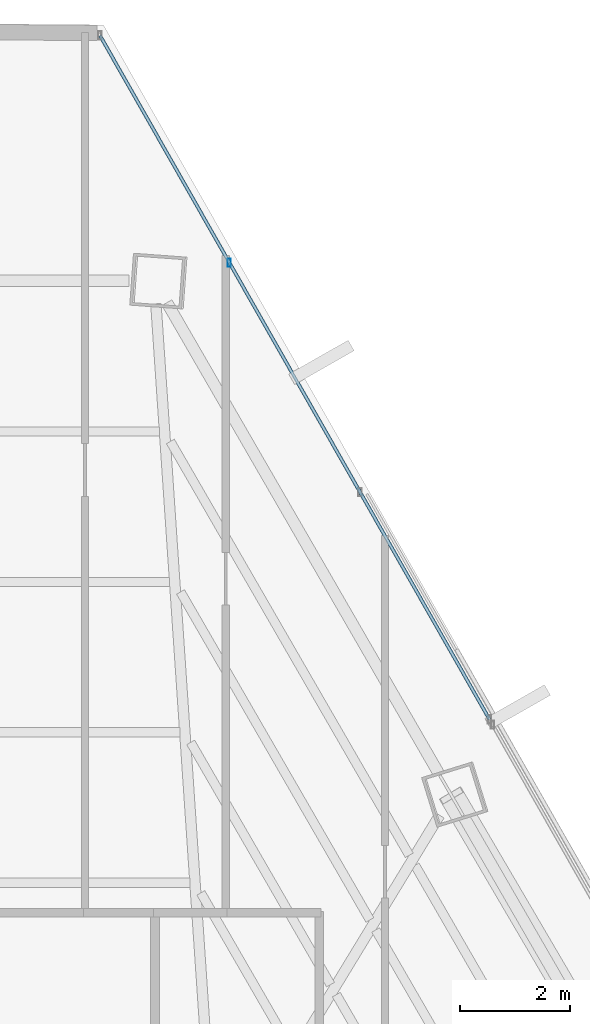
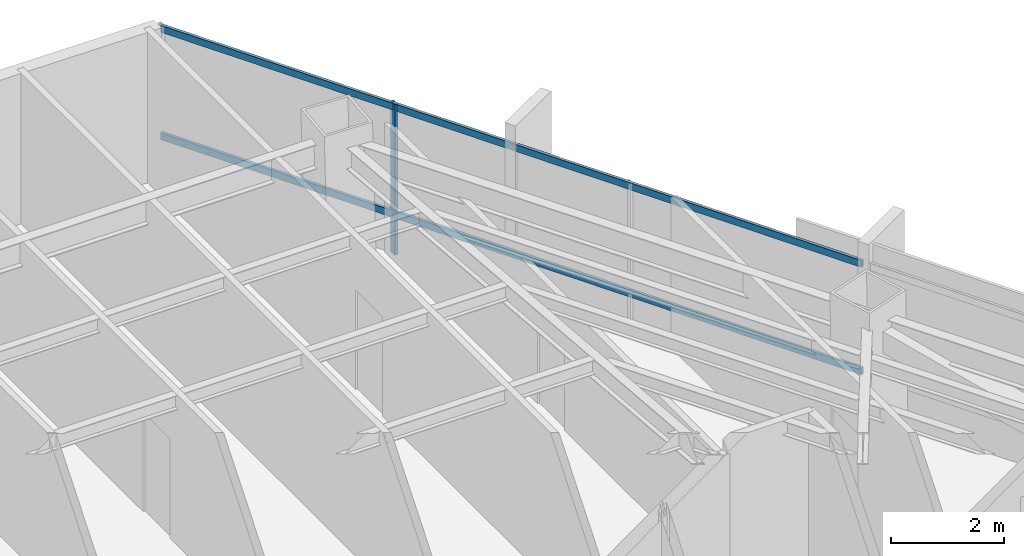
# One storey, part 32 of 40: 3 members, 1 element without a shape of its own.
"""IFC4 building model written with IfcOpenShell, lengths in metres."""

from ifc_helpers import new_model, si_unit, direction, frame, origin, origin_2d, place, context, subcontext, project, spatial, hollow_rectangle, extrude, source, transform, mapped, material, material_profile, profile_set, type_object, type_shapes, element, aggregate, save


model = new_model("IFC4")

# Units and contexts
model_context = context("Model", 3, precision=1e-05, world=origin(), true_north=direction((0.0, 1.0)))
body_context = subcontext(model_context, "Body", "Model", "MODEL_VIEW")
ifc_project = project(units=[si_unit("LENGTHUNIT", "METRE"), si_unit("AREAUNIT", "SQUARE_METRE"), si_unit("VOLUMEUNIT", "CUBIC_METRE"), si_unit("PLANEANGLEUNIT", "RADIAN"), si_unit("MASSUNIT", "GRAM", prefix="KILO")], contexts=[model_context])

# Site, building, storey
site_placement = place(None, origin())
site = spatial("IfcSite", under=ifc_project, at=site_placement, CompositionType="ELEMENT")
building_placement = place(site_placement, origin())
building = spatial("IfcBuilding", under=site, at=building_placement, Name="Caelisora Broadcast Tower", CompositionType="ELEMENT")
storey_placement = place(building_placement, frame((0.0, 0.0, 146.39990234375)))
storey = spatial("IfcBuildingStorey", under=building, at=storey_placement, Name="L38", CompositionType="ELEMENT", Elevation=146.39990234375)

# Curtain wall, members
ifc_material_1 = material(Name="Unitised Aluminium and Low-E Glass Curtain Wall", Category="glass")
curtain_wall_type = type_object("IfcCurtainWallType", Name="CW-Z3", PredefinedType="NOTDEFINED", material=ifc_material_1)
curtain_wall_placement = place(storey_placement, origin())
curtain_wall = element("IfcCurtainWall", 1, at=curtain_wall_placement, inside=storey, type_object=curtain_wall_type, Name="L38 curtain wall CW-Z3", PredefinedType="NOTDEFINED")
ifc_material_2 = material(Name="Aluminium 6063-T6 Anodised Terracotta Bronze", Category="aluminium")
ifc_material_profile_1 = material_profile(ifc_material_2, hollow_rectangle(XDim=0.06005859375, YDim=0.14990234375, WallThickness=0.00341796875, at=origin_2d()), Name="Aluminium 6063-T6 Anodised Terracotta Bronze")
ifc_profile_set_1 = profile_set([ifc_material_profile_1], Name="Aluminium 6063-T6 Anodised Terracotta Bronze")
member_type_1 = type_object("IfcMemberType", Name="CWM-03", PredefinedType="MULLION", material=ifc_profile_set_1)
shared_shape_1 = source(origin(), body_context, "Body", "SweptSolid", [
    extrude(hollow_rectangle(XDim=0.06005859375, YDim=0.14990234375, WallThickness=0.00341796875, at=origin_2d()), origin(), (0.0, 0.0, 1.0), 3.25),
])
type_shapes(member_type_1, [shared_shape_1])
member_1_placement = place(storey_placement, frame((45.756103515625, 46.81982421875, 0.0), z_axis=(0.0, 0.0, 1.0), x_axis=(1.0, 0.0, 0.0)))
member_1 = element("IfcMember", 2, at=member_1_placement, type_object=member_type_1, Name="L38-CW-B01 mullion #1", PredefinedType="MULLION", context=body_context, shape_type="MappedRepresentation", body=[
    mapped(shared_shape_1, transform((0.0, 0.0, 0.0), scale=1.0)),
])
ifc_material_profile_2 = material_profile(ifc_material_2, hollow_rectangle(XDim=0.06005859375, YDim=0.14990234375, WallThickness=0.00341796875, at=origin_2d()), Name="Aluminium 6063-T6 Anodised Terracotta Bronze")
ifc_profile_set_2 = profile_set([ifc_material_profile_2], Name="Aluminium 6063-T6 Anodised Terracotta Bronze")
member_type_2 = type_object("IfcMemberType", Name="CWT-02", PredefinedType="USERDEFINED", material=ifc_profile_set_2)
shared_shape_2 = source(origin(), body_context, "Body", "SweptSolid", [
    extrude(hollow_rectangle(XDim=0.06005859375, YDim=0.14990234375, WallThickness=0.00341796875, at=origin_2d()), origin(), (0.0, 0.0, 1.0), 14.376708984375),
])
type_shapes(member_type_2, [shared_shape_2])
member_2_placement = place(storey_placement, frame((43.392578125, 50.969482421875, 0.85009765625), z_axis=(0.494916804592, -0.868940364198, 0.0), x_axis=(0.868940364198, 0.494916804592, 0.0)))
member_2 = element("IfcMember", 3, at=member_2_placement, type_object=member_type_2, Name="L38-CW-B01 transom #1", ObjectType="TRANSOM", PredefinedType="USERDEFINED", context=body_context, shape_type="MappedRepresentation", body=[
    mapped(shared_shape_2, transform((0.0, 0.0, 0.0), scale=1.0)),
])
member_3_placement = place(storey_placement, frame((43.392578125, 50.969482421875, 3.170166015625), z_axis=(0.494916804592, -0.868940364198, 0.0), x_axis=(0.868940364198, 0.494916804592, 0.0)))
member_3 = element("IfcMember", 4, at=member_3_placement, type_object=member_type_2, Name="L38-CW-B01 transom #2", ObjectType="TRANSOM", PredefinedType="USERDEFINED", context=body_context, shape_type="MappedRepresentation", body=[
    mapped(shared_shape_2, transform((0.0, 0.0, 0.0), scale=1.0)),
])
aggregate(curtain_wall, [member_1, member_2, member_3])

save(model, "model.ifc")
